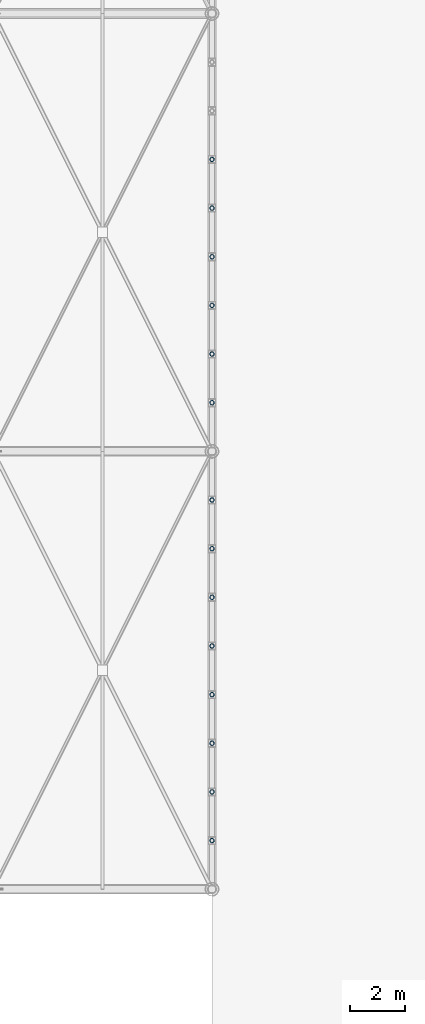
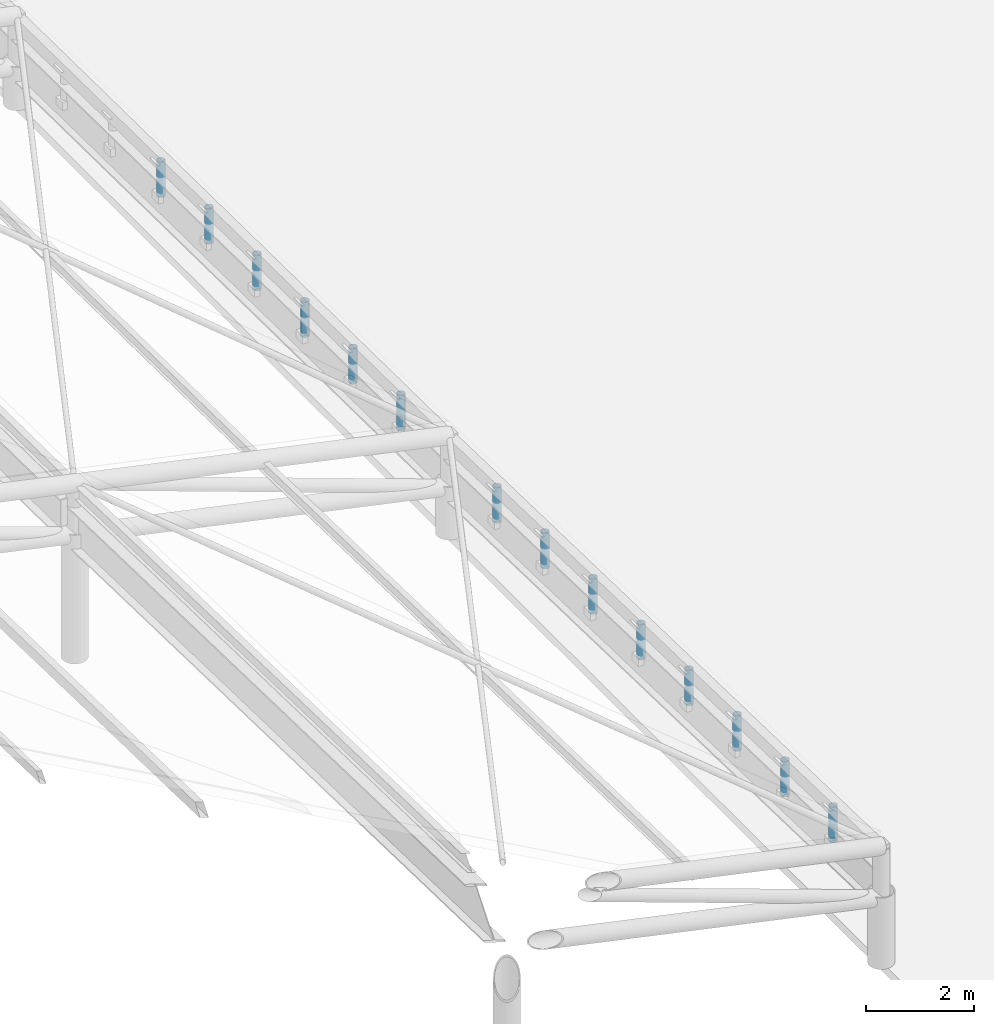
# One storey, part 27 of 54: 14 members.
"""IFC4 building model written with IfcOpenShell, lengths in metres."""

from ifc_helpers import new_model, si_unit, direction, frame, origin, origin_2d, place, context, subcontext, project, spatial, hollow_circle, extrude, material, material_profile, profile_set, type_object, element, save


model = new_model("IFC4")

# Units and contexts
model_context = context("Model", 3, precision=1e-05, world=origin(), true_north=direction((0.0, 1.0)))
body_context = subcontext(model_context, "Body", "Model", "MODEL_VIEW")
ifc_project = project(units=[si_unit("LENGTHUNIT", "METRE"), si_unit("AREAUNIT", "SQUARE_METRE"), si_unit("VOLUMEUNIT", "CUBIC_METRE"), si_unit("PLANEANGLEUNIT", "RADIAN"), si_unit("MASSUNIT", "GRAM", prefix="KILO")], contexts=[model_context])

# Site, building, storey
site_placement = place(None, origin())
site = spatial("IfcSite", under=ifc_project, at=site_placement, CompositionType="ELEMENT")
building_placement = place(site_placement, origin())
building = spatial("IfcBuilding", under=site, at=building_placement, Name="Haebicheon Civic Stadium", CompositionType="ELEMENT")
storey_placement = place(building_placement, frame((0.0, 0.0, 22.800048828125)))
storey = spatial("IfcBuildingStorey", under=building, at=storey_placement, Name="L06", CompositionType="ELEMENT", Elevation=22.800048828125)

# Members
ifc_material = material(Name="White painted steel SM490", Category="steel")
ifc_material_profile = material_profile(ifc_material, hollow_circle(Radius=0.084228515625, WallThickness=0.012451171875, at=origin_2d()), Name="CHS-168.3x12.5")
ifc_profile_set = profile_set([ifc_material_profile], Name="White painted steel SM490")
member_type = type_object("IfcMemberType", Name="HRD-CHS168", PredefinedType="USERDEFINED", material=ifc_profile_set)
member_1_placement = place(storey_placement, frame((208.0, 57.778076171875, 1.6650390625), z_axis=(0.0, 0.0, 1.0), x_axis=(1.0, 0.0, 0.0)))
element("IfcMember", 1, at=member_1_placement, inside=storey, type_object=member_type, material=ifc_profile_set, Name="CAN-COMM white vertical suspension rod 1.1", ObjectType="HANGER ROD", PredefinedType="USERDEFINED", context=body_context, shape_type="SweptSolid", body=[
    extrude(hollow_circle(Radius=0.084228515625, WallThickness=0.012451171875, at=origin_2d()), origin(), (0.0, 0.0, 1.0), 0.7998046875),
])
member_2_placement = place(storey_placement, frame((208.0, 59.555908203125, 1.617919921875), z_axis=(0.0, 0.0, 1.0), x_axis=(1.0, 0.0, 0.0)))
element("IfcMember", 2, at=member_2_placement, inside=storey, type_object=member_type, material=ifc_profile_set, Name="CAN-COMM white vertical suspension rod 1.2", ObjectType="HANGER ROD", PredefinedType="USERDEFINED", context=body_context, shape_type="SweptSolid", body=[
    extrude(hollow_circle(Radius=0.084228515625, WallThickness=0.012451171875, at=origin_2d()), origin(), (0.0, 0.0, 1.0), 0.800048828125),
])
member_3_placement = place(storey_placement, frame((208.0, 61.3330078125, 1.571044921875), z_axis=(0.0, 0.0, 1.0), x_axis=(1.0, 0.0, 0.0)))
element("IfcMember", 3, at=member_3_placement, inside=storey, type_object=member_type, material=ifc_profile_set, Name="CAN-COMM white vertical suspension rod 1.3", ObjectType="HANGER ROD", PredefinedType="USERDEFINED", context=body_context, shape_type="SweptSolid", body=[
    extrude(hollow_circle(Radius=0.084228515625, WallThickness=0.012451171875, at=origin_2d()), origin(), (0.0, 0.0, 1.0), 0.7998046875),
])
member_4_placement = place(storey_placement, frame((208.0, 63.111083984375, 1.52392578125), z_axis=(0.0, 0.0, 1.0), x_axis=(1.0, 0.0, 0.0)))
element("IfcMember", 4, at=member_4_placement, inside=storey, type_object=member_type, material=ifc_profile_set, Name="CAN-COMM white vertical suspension rod 1.4", ObjectType="HANGER ROD", PredefinedType="USERDEFINED", context=body_context, shape_type="SweptSolid", body=[
    extrude(hollow_circle(Radius=0.084228515625, WallThickness=0.012451171875, at=origin_2d()), origin(), (0.0, 0.0, 1.0), 0.800048828125),
])
member_5_placement = place(storey_placement, frame((208.0, 64.888916015625, 1.47802734375), z_axis=(0.0, 0.0, 1.0), x_axis=(1.0, 0.0, 0.0)))
element("IfcMember", 5, at=member_5_placement, inside=storey, type_object=member_type, material=ifc_profile_set, Name="CAN-COMM white vertical suspension rod 1.5", ObjectType="HANGER ROD", PredefinedType="USERDEFINED", context=body_context, shape_type="SweptSolid", body=[
    extrude(hollow_circle(Radius=0.084228515625, WallThickness=0.012451171875, at=origin_2d()), origin(), (0.0, 0.0, 1.0), 0.7998046875),
])
member_6_placement = place(storey_placement, frame((208.0, 66.6669921875, 1.430908203125), z_axis=(0.0, 0.0, 1.0), x_axis=(1.0, 0.0, 0.0)))
element("IfcMember", 6, at=member_6_placement, inside=storey, type_object=member_type, material=ifc_profile_set, Name="CAN-COMM white vertical suspension rod 1.6", ObjectType="HANGER ROD", PredefinedType="USERDEFINED", context=body_context, shape_type="SweptSolid", body=[
    extrude(hollow_circle(Radius=0.084228515625, WallThickness=0.012451171875, at=origin_2d()), origin(), (0.0, 0.0, 1.0), 0.800048828125),
])
member_7_placement = place(storey_placement, frame((208.0, 68.444091796875, 1.384033203125), z_axis=(0.0, 0.0, 1.0), x_axis=(1.0, 0.0, 0.0)))
element("IfcMember", 7, at=member_7_placement, inside=storey, type_object=member_type, material=ifc_profile_set, Name="CAN-COMM white vertical suspension rod 1.7", ObjectType="HANGER ROD", PredefinedType="USERDEFINED", context=body_context, shape_type="SweptSolid", body=[
    extrude(hollow_circle(Radius=0.084228515625, WallThickness=0.012451171875, at=origin_2d()), origin(), (0.0, 0.0, 1.0), 0.7998046875),
])
for number, where, z_axis, x_axis, name in (
    (8, (208.0, 70.221923828125, 1.3369140625), (0.0, 0.0, 1.0), (1.0, 0.0, 0.0), "CAN-COMM white vertical suspension rod 1.8"),
    (9, (208.0, 73.778076171875, 1.265869140625), (0.0, 0.0, 1.0), (1.0, 0.0, 0.0), "CAN-COMM white vertical suspension rod 2.1"),
    (10, (208.0, 75.555908203125, 1.242919921875), (0.0, 0.0, 1.0), (1.0, 0.0, 0.0), "CAN-COMM white vertical suspension rod 2.2"),
    (11, (208.0, 77.3330078125, 1.218994140625), (0.0, 0.0, 1.0), (1.0, 0.0, 0.0), "CAN-COMM white vertical suspension rod 2.3"),
):
    element("IfcMember", number, at=place(storey_placement, frame(where, z_axis=z_axis, x_axis=x_axis)), inside=storey, type_object=member_type, material=ifc_profile_set, Name=name, ObjectType="HANGER ROD", PredefinedType="USERDEFINED", context=body_context, shape_type="SweptSolid", body=[
        extrude(hollow_circle(Radius=0.084228515625, WallThickness=0.012451171875, at=origin_2d()), origin(), (0.0, 0.0, 1.0), 0.800048828125),
    ])
member_8_placement = place(storey_placement, frame((208.0, 79.111083984375, 1.196044921875), z_axis=(0.0, 0.0, 1.0), x_axis=(1.0, 0.0, 0.0)))
element("IfcMember", 12, at=member_8_placement, inside=storey, type_object=member_type, material=ifc_profile_set, Name="CAN-COMM white vertical suspension rod 2.4", ObjectType="HANGER ROD", PredefinedType="USERDEFINED", context=body_context, shape_type="SweptSolid", body=[
    extrude(hollow_circle(Radius=0.084228515625, WallThickness=0.012451171875, at=origin_2d()), origin(), (0.0, 0.0, 1.0), 0.7998046875),
])
for number, where, z_axis, x_axis, name in (
    (13, (208.0, 80.888916015625, 1.171875), (0.0, 0.0, 1.0), (1.0, 0.0, 0.0), "CAN-COMM white vertical suspension rod 2.5"),
    (14, (208.0, 82.6669921875, 1.14892578125), (0.0, 0.0, 1.0), (1.0, 0.0, 0.0), "CAN-COMM white vertical suspension rod 2.6"),
):
    element("IfcMember", number, at=place(storey_placement, frame(where, z_axis=z_axis, x_axis=x_axis)), inside=storey, type_object=member_type, material=ifc_profile_set, Name=name, ObjectType="HANGER ROD", PredefinedType="USERDEFINED", context=body_context, shape_type="SweptSolid", body=[
        extrude(hollow_circle(Radius=0.084228515625, WallThickness=0.012451171875, at=origin_2d()), origin(), (0.0, 0.0, 1.0), 0.800048828125),
    ])

save(model, "model.ifc")
